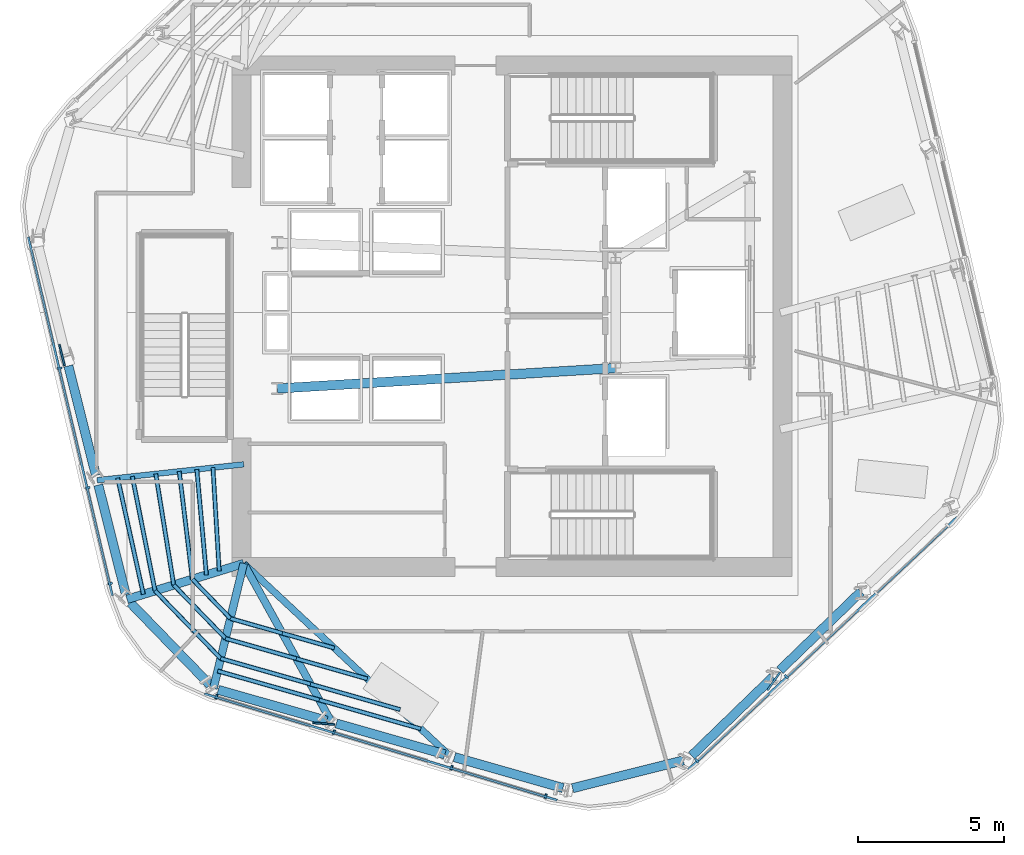
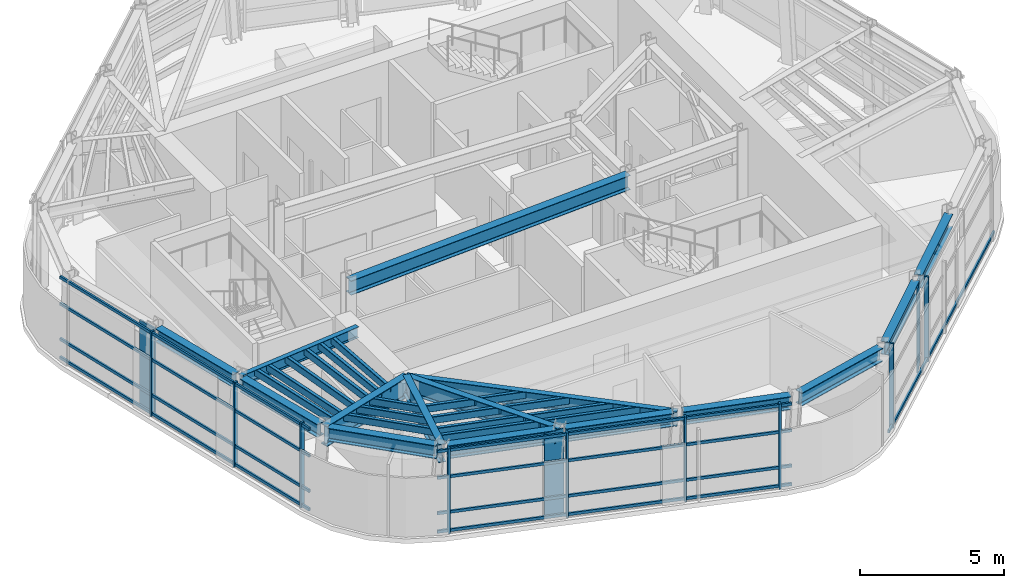
# One storey, part 2 of 14: 38 members, 15 beams, 3 elements without a shape of their own.
"""IFC4 building model written with IfcOpenShell, lengths in metres."""

from ifc_helpers import new_model, si_unit, direction, frame, origin, origin_2d, place, context, subcontext, project, spatial, rectangle, hollow_rectangle, i_section, extrude, material, layer, layer_set, material_profile, profile_set, type_object, element, aggregate, save


model = new_model("IFC4")

# Units and contexts
model_context = context("Model", 3, precision=1e-05, world=origin(), true_north=direction((0.0, 1.0)))
body_context = subcontext(model_context, "Body", "Model", "MODEL_VIEW")
ifc_project = project(units=[si_unit("LENGTHUNIT", "METRE"), si_unit("AREAUNIT", "SQUARE_METRE"), si_unit("VOLUMEUNIT", "CUBIC_METRE"), si_unit("PLANEANGLEUNIT", "RADIAN"), si_unit("MASSUNIT", "GRAM", prefix="KILO")], contexts=[model_context])

# Site, building, storey
site_placement = place(None, origin())
site = spatial("IfcSite", under=ifc_project, at=site_placement, CompositionType="ELEMENT")
building_placement = place(site_placement, origin())
building = spatial("IfcBuilding", under=site, at=building_placement, Name="Valkerne Bourse Tower", CompositionType="ELEMENT")
storey_placement = place(building_placement, frame((0.0, 0.0, 209.39990234375)))
storey = spatial("IfcBuildingStorey", under=building, at=storey_placement, Name="L53", CompositionType="ELEMENT", Elevation=209.39990234375)

# Beams
ifc_material_1 = material(Name="Steel ASTM A992", Category="steel")
ifc_material_profile_1 = material_profile(ifc_material_1, i_section(OverallWidth=0.1904296875, OverallDepth=0.457275390625, WebThickness=0.009033203125, FlangeThickness=0.014404296875, FilletRadius=0.01513671875, at=origin_2d()), Name="W18X50")
ifc_profile_set_1 = profile_set([ifc_material_profile_1], Name="Steel ASTM A992")
beam_type_1 = type_object("IfcBeamType", Name="BM-W18X50", PredefinedType="JOIST", material=ifc_profile_set_1)
beam_1_placement = place(storey_placement, frame((32.572265625, 21.2548828125, 3.37158203125), z_axis=(0.994172838961, 0.107797802729, 0.0), x_axis=(-0.107797802729, 0.994172838961, 0.0)))
element("IfcBeam", 1, at=beam_1_placement, inside=storey, type_object=beam_type_1, Name="L53 Radial Composite Floor Beam 10", PredefinedType="JOIST", context=body_context, shape_type="SweptSolid", body=[
    extrude(i_section(OverallWidth=0.1904296875, OverallDepth=0.457275390625, WebThickness=0.009033203125, FlangeThickness=0.014404296875, FilletRadius=0.01513671875, at=origin_2d()), origin(), (0.0, 0.0, 1.0), 5.057373046875),
])
ifc_material_profile_2 = material_profile(ifc_material_1, i_section(OverallWidth=0.31494140625, OverallDepth=0.5537109375, WebThickness=0.0166015625, FlangeThickness=0.026123046875, FilletRadius=0.020263671875, at=origin_2d()), Name="W21X132")
ifc_profile_set_2 = profile_set([ifc_material_profile_2], Name="Steel ASTM A992")
beam_type_2 = type_object("IfcBeamType", Name="BM-W21X132", PredefinedType="BEAM", material=ifc_profile_set_2)
beam_2_placement = place(storey_placement, frame((31.58740234375, 25.175048828125, 3.3232421875), z_axis=(0.243633318087, -0.969867416876, 0.0), x_axis=(0.969867416876, 0.243633318087, 0.0)))
element("IfcBeam", 2, at=beam_2_placement, inside=storey, type_object=beam_type_2, Name="L53 Hexagonal Spandrel Ring Beam 09", PredefinedType="BEAM", context=body_context, shape_type="SweptSolid", body=[
    extrude(i_section(OverallWidth=0.31494140625, OverallDepth=0.5537109375, WebThickness=0.0166015625, FlangeThickness=0.026123046875, FilletRadius=0.020263671875, at=origin_2d()), origin(), (0.0, 0.0, 1.0), 3.8720703125),
])
beam_3_placement = place(storey_placement, frame((32.613525390625, 21.08984375, 3.3232421875), z_axis=(0.243648217677, -0.969863673937, 0.0), x_axis=(0.969863673937, 0.243648217677, 0.0)))
element("IfcBeam", 3, at=beam_3_placement, inside=storey, type_object=beam_type_2, Name="L53 Hexagonal Spandrel Ring Beam 10", PredefinedType="BEAM", context=body_context, shape_type="SweptSolid", body=[
    extrude(i_section(OverallWidth=0.31494140625, OverallDepth=0.5537109375, WebThickness=0.0166015625, FlangeThickness=0.026123046875, FilletRadius=0.020263671875, at=origin_2d()), origin(), (0.0, 0.0, 1.0), 3.871826171875),
])
beam_4_placement = place(storey_placement, frame((33.716552734375, 17.047607421875, 3.3232421875), z_axis=(0.695921847216, -0.718117526988, 0.0), x_axis=(0.718117526988, 0.695921847216, 0.0)))
element("IfcBeam", 4, at=beam_4_placement, inside=storey, type_object=beam_type_2, Name="L53 Hexagonal Spandrel Ring Beam 11", PredefinedType="BEAM", context=body_context, shape_type="SweptSolid", body=[
    extrude(i_section(OverallWidth=0.31494140625, OverallDepth=0.5537109375, WebThickness=0.0166015625, FlangeThickness=0.026123046875, FilletRadius=0.020263671875, at=origin_2d()), origin(), (0.0, 0.0, 1.0), 3.915771484375),
])
for number, where, z_axis, x_axis, name in (
    (5, (36.723388671875, 14.06689453125, 3.3232421875), (0.961756780686, -0.273904901023, 0.0), (0.273904901023, 0.961756780686, 0.0), "L53 Hexagonal Spandrel Ring Beam 12"),
    (6, (40.774169921875, 12.9130859375, 3.3232421875), (0.961740168998, -0.273963222598, 0.0), (0.273963222598, 0.961740168998, 0.0), "L53 Hexagonal Spandrel Ring Beam 13"),
):
    element("IfcBeam", number, at=place(storey_placement, frame(where, z_axis=z_axis, x_axis=x_axis)), inside=storey, type_object=beam_type_2, Name=name, PredefinedType="BEAM", context=body_context, shape_type="SweptSolid", body=[
        extrude(i_section(OverallWidth=0.31494140625, OverallDepth=0.5537109375, WebThickness=0.0166015625, FlangeThickness=0.026123046875, FilletRadius=0.020263671875, at=origin_2d()), origin(), (0.0, 0.0, 1.0), 3.8720703125),
    ])
beam_5_placement = place(storey_placement, frame((44.8251953125, 11.75927734375, 3.3232421875), z_axis=(0.961735436106, -0.273979836735, 0.0), x_axis=(0.273979836735, 0.961735436106, 0.0)))
element("IfcBeam", 7, at=beam_5_placement, inside=storey, type_object=beam_type_2, Name="L53 Hexagonal Spandrel Ring Beam 14", PredefinedType="BEAM", context=body_context, shape_type="SweptSolid", body=[
    extrude(i_section(OverallWidth=0.31494140625, OverallDepth=0.5537109375, WebThickness=0.0166015625, FlangeThickness=0.026123046875, FilletRadius=0.020263671875, at=origin_2d()), origin(), (0.0, 0.0, 1.0), 3.871826171875),
])
beam_6_placement = place(storey_placement, frame((48.877197265625, 10.693359375, 3.3232421875), z_axis=(0.969877865114, 0.243591721458, 0.0), x_axis=(-0.243591721458, 0.969877865114, 0.0)))
element("IfcBeam", 8, at=beam_6_placement, inside=storey, type_object=beam_type_2, Name="L53 Hexagonal Spandrel Ring Beam 15", PredefinedType="BEAM", context=body_context, shape_type="SweptSolid", body=[
    extrude(i_section(OverallWidth=0.31494140625, OverallDepth=0.5537109375, WebThickness=0.0166015625, FlangeThickness=0.026123046875, FilletRadius=0.020263671875, at=origin_2d()), origin(), (0.0, 0.0, 1.0), 3.915771484375),
])
for number, where, z_axis, x_axis, name in (
    (9, (52.9619140625, 11.806884765625, 3.3232421875), (0.718117122085, 0.695922265033, 0.0), (-0.695922265033, 0.718117122085, 0.0), "L53 Hexagonal Spandrel Ring Beam 16"),
    (10, (55.98681640625, 14.738037109375, 3.3232421875), (0.718117122085, 0.695922265033, 0.0), (-0.695922265033, 0.718117122085, 0.0), "L53 Hexagonal Spandrel Ring Beam 17"),
):
    element("IfcBeam", number, at=place(storey_placement, frame(where, z_axis=z_axis, x_axis=x_axis)), inside=storey, type_object=beam_type_2, Name=name, PredefinedType="BEAM", context=body_context, shape_type="SweptSolid", body=[
        extrude(i_section(OverallWidth=0.31494140625, OverallDepth=0.5537109375, WebThickness=0.0166015625, FlangeThickness=0.026123046875, FilletRadius=0.020263671875, at=origin_2d()), origin(), (0.0, 0.0, 1.0), 3.8720703125),
    ])
ifc_material_profile_3 = material_profile(ifc_material_1, i_section(OverallWidth=0.3251953125, OverallDepth=0.612060546875, WebThickness=0.0126953125, FlangeThickness=0.01904296875, FilletRadius=0.020263671875, at=origin_2d()), Name="W24X104")
ifc_profile_set_3 = profile_set([ifc_material_profile_3], Name="Steel ASTM A992")
beam_type_3 = type_object("IfcBeamType", Name="BM-W24X104", PredefinedType="BEAM", material=ifc_profile_set_3)
beam_7_placement = place(storey_placement, frame((38.75, 24.39990234375, 3.294189453125), z_axis=(0.998183228389, 0.060251494276, 0.0), x_axis=(-0.060251494276, 0.998183228389, 0.0)))
element("IfcBeam", 11, at=beam_7_placement, inside=storey, type_object=beam_type_3, Name="L53 Core Frame Girder CG-SW", PredefinedType="BEAM", context=body_context, shape_type="SweptSolid", body=[
    extrude(i_section(OverallWidth=0.3251953125, OverallDepth=0.612060546875, WebThickness=0.0126953125, FlangeThickness=0.01904296875, FilletRadius=0.020263671875, at=origin_2d()), origin(), (0.0, 0.0, 1.0), 11.62109375),
])
ifc_material_profile_4 = material_profile(ifc_material_1, i_section(OverallWidth=0.228271484375, OverallDepth=0.607177734375, WebThickness=0.01123046875, FlangeThickness=0.017333984375, FilletRadius=0.017822265625, at=origin_2d()), Name="W24X76")
ifc_profile_set_4 = profile_set([ifc_material_profile_4], Name="Steel ASTM A992")
beam_type_4 = type_object("IfcBeamType", Name="BM-W24X76", PredefinedType="JOIST", material=ifc_profile_set_4)
beam_8_placement = place(storey_placement, frame((44.66162109375, 11.805908203125, 3.29638671875), z_axis=(-0.730888025021, 0.682497395512, 0.0), x_axis=(-0.682497395512, -0.730888025021, 0.0)))
element("IfcBeam", 12, at=beam_8_placement, inside=storey, type_object=beam_type_4, Name="L53 Radial Composite Floor Beam 14", PredefinedType="JOIST", context=body_context, shape_type="SweptSolid", body=[
    extrude(i_section(OverallWidth=0.228271484375, OverallDepth=0.607177734375, WebThickness=0.01123046875, FlangeThickness=0.017333984375, FilletRadius=0.017822265625, at=origin_2d()), origin(), (0.0, 0.0, 1.0), 9.66162109375),
])
ifc_material_profile_5 = material_profile(ifc_material_1, i_section(OverallWidth=0.255859375, OverallDepth=0.693359375, WebThickness=0.014404296875, FlangeThickness=0.023681640625, FilletRadius=0.02294921875, at=origin_2d()), Name="W27X114")
ifc_profile_set_5 = profile_set([ifc_material_profile_5], Name="Steel ASTM A992")
beam_type_5 = type_object("IfcBeamType", Name="BM-W27X114", PredefinedType="BEAM", material=ifc_profile_set_5)
beam_9_placement = place(storey_placement, frame((40.610595703125, 12.959716796875, 3.25341796875), z_axis=(-0.484188678006, 0.874963613009, 0.0), x_axis=(-0.874963613009, -0.484188678006, 0.0)))
element("IfcBeam", 13, at=beam_9_placement, inside=storey, type_object=beam_type_5, Name="L53 Radial Composite Floor Beam 13", PredefinedType="BEAM", context=body_context, shape_type="SweptSolid", body=[
    extrude(i_section(OverallWidth=0.255859375, OverallDepth=0.693359375, WebThickness=0.014404296875, FlangeThickness=0.023681640625, FilletRadius=0.02294921875, at=origin_2d()), origin(), (0.0, 0.0, 1.0), 6.217529296875),
])
ifc_material_profile_6 = material_profile(ifc_material_1, i_section(OverallWidth=0.26806640625, OverallDepth=0.76953125, WebThickness=0.015625, FlangeThickness=0.025390625, FilletRadius=0.025390625, at=origin_2d()), Name="W30X132")
ifc_profile_set_6 = profile_set([ifc_material_profile_6], Name="Steel ASTM A992")
beam_type_6 = type_object("IfcBeamType", Name="BM-W30X132", PredefinedType="BEAM", material=ifc_profile_set_6)
beam_10_placement = place(storey_placement, frame((36.559814453125, 14.113525390625, 3.21533203125), z_axis=(0.235848735383, 0.971789778717, 0.0), x_axis=(-0.971789778717, 0.235848735383, 0.0)))
element("IfcBeam", 14, at=beam_10_placement, inside=storey, type_object=beam_type_6, Name="L53 Radial Composite Floor Beam 12", PredefinedType="BEAM", context=body_context, shape_type="SweptSolid", body=[
    extrude(i_section(OverallWidth=0.26806640625, OverallDepth=0.76953125, WebThickness=0.015625, FlangeThickness=0.025390625, FilletRadius=0.025390625, at=origin_2d()), origin(), (0.0, 0.0, 1.0), 4.410888671875),
])
ifc_material_profile_7 = material_profile(ifc_material_1, i_section(OverallWidth=0.2919921875, OverallDepth=0.8583984375, WebThickness=0.01708984375, FlangeThickness=0.031005859375, FilletRadius=0.025390625, at=origin_2d()), Name="W33X169")
ifc_profile_set_7 = profile_set([ifc_material_profile_7], Name="Steel ASTM A992")
beam_type_7 = type_object("IfcBeamType", Name="BM-W33X169", PredefinedType="BEAM", material=ifc_profile_set_7)
beam_11_placement = place(storey_placement, frame((33.598388671875, 17.169677734375, 3.1708984375), z_axis=(0.955850850206, 0.293852262473, 0.0), x_axis=(-0.293852262473, 0.955850850206, 0.0)))
element("IfcBeam", 15, at=beam_11_placement, inside=storey, type_object=beam_type_7, Name="L53 Radial Composite Floor Beam 11", PredefinedType="BEAM", context=body_context, shape_type="SweptSolid", body=[
    extrude(i_section(OverallWidth=0.2919921875, OverallDepth=0.8583984375, WebThickness=0.01708984375, FlangeThickness=0.031005859375, FilletRadius=0.025390625, at=origin_2d()), origin(), (0.0, 0.0, 1.0), 4.1865234375),
])

# Curtain wall, members
ifc_material_2 = material(Name="Aluminium AA 6063-T6", Category="aluminium")
ifc_layer = layer(ifc_material_2, 0.239990234375)
ifc_layer_set = layer_set([ifc_layer], Name="Aluminium AA 6063-T6")
curtain_wall_type = type_object("IfcCurtainWallType", Name="CW-04", PredefinedType="NOTDEFINED", material=ifc_layer_set)
curtain_wall_1_placement = place(storey_placement, origin())
curtain_wall_1 = element("IfcCurtainWall", 16, at=curtain_wall_1_placement, inside=storey, type_object=curtain_wall_type, Name="L53 Hexagonal Stick Curtain Wall Face 3", PredefinedType="NOTDEFINED")
ifc_material_profile_8 = material_profile(ifc_material_2, rectangle(XDim=0.074951171875, YDim=0.159912109375, at=origin_2d()), Name="CWM-75X160")
ifc_profile_set_8 = profile_set([ifc_material_profile_8], Name="Aluminium AA 6063-T6")
member_type_1 = type_object("IfcMemberType", Name="CW-MUL-160X75", PredefinedType="MULLION", material=ifc_profile_set_8)
member_1_placement = place(storey_placement, frame((31.286865234375, 25.09326171875, 0.0), z_axis=(0.0, 0.0, 1.0), x_axis=(0.228348506824, -0.973579457174, 0.0)))
member_1 = element("IfcMember", 17, at=member_1_placement, type_object=member_type_1, Name="CW-L53-F3 Jamb Mullion 01A", PredefinedType="MULLION", context=body_context, shape_type="SweptSolid", body=[
    extrude(rectangle(XDim=0.074951171875, YDim=0.159912109375, at=origin_2d()), origin(), (0.0, 0.0, 1.0), 3.60009765625),
])
member_2_placement = place(storey_placement, frame((32.24853515625, 20.992431640625, 0.0), z_axis=(0.0, 0.0, 1.0), x_axis=(0.228348506824, -0.973579457174, 0.0)))
member_2 = element("IfcMember", 18, at=member_2_placement, type_object=member_type_1, Name="CW-L53-F3 Jamb Mullion 02A", PredefinedType="MULLION", context=body_context, shape_type="SweptSolid", body=[
    extrude(rectangle(XDim=0.074951171875, YDim=0.159912109375, at=origin_2d()), origin(), (0.0, 0.0, 1.0), 3.60009765625),
])
member_3_placement = place(storey_placement, frame((33.0185546875, 17.709716796875, 0.0), z_axis=(0.0, 0.0, 1.0), x_axis=(0.228348506824, -0.973579457174, 0.0)))
member_3 = element("IfcMember", 19, at=member_3_placement, type_object=member_type_1, Name="CW-L53-F3 Jamb Mullion 02B", PredefinedType="MULLION", context=body_context, shape_type="SweptSolid", body=[
    extrude(rectangle(XDim=0.074951171875, YDim=0.159912109375, at=origin_2d()), origin(), (0.0, 0.0, 1.0), 3.60009765625),
])

curtain_wall_2_placement = place(storey_placement, origin())
curtain_wall_2 = element("IfcCurtainWall", 20, at=curtain_wall_2_placement, inside=storey, type_object=curtain_wall_type, Name="L53 Hexagonal Stick Curtain Wall Face 4", PredefinedType="NOTDEFINED")
member_4_placement = place(storey_placement, frame((36.66259765625, 13.8291015625, 0.0), z_axis=(0.0, 0.0, 1.0), x_axis=(0.957321018034, -0.289026760752, 0.0)))
member_4 = element("IfcMember", 21, at=member_4_placement, type_object=member_type_1, Name="CW-L53-F4 Jamb Mullion 00A", PredefinedType="MULLION", context=body_context, shape_type="SweptSolid", body=[
    extrude(rectangle(XDim=0.074951171875, YDim=0.159912109375, at=origin_2d()), origin(), (0.0, 0.0, 1.0), 3.60009765625),
])
member_5_placement = place(storey_placement, frame((40.69482421875, 12.61181640625, 0.0), z_axis=(0.0, 0.0, 1.0), x_axis=(0.957319034703, -0.289033329904, 0.0)))
member_5 = element("IfcMember", 22, at=member_5_placement, type_object=member_type_1, Name="CW-L53-F4 Jamb Mullion 01A", PredefinedType="MULLION", context=body_context, shape_type="SweptSolid", body=[
    extrude(rectangle(XDim=0.074951171875, YDim=0.159912109375, at=origin_2d()), origin(), (0.0, 0.0, 1.0), 3.60009765625),
])
member_6_placement = place(storey_placement, frame((44.72705078125, 11.394287109375, 0.0), z_axis=(0.0, 0.0, 1.0), x_axis=(0.957319034703, -0.289033329904, 0.0)))
member_6 = element("IfcMember", 23, at=member_6_placement, type_object=member_type_1, Name="CW-L53-F4 Jamb Mullion 02A", PredefinedType="MULLION", context=body_context, shape_type="SweptSolid", body=[
    extrude(rectangle(XDim=0.074951171875, YDim=0.159912109375, at=origin_2d()), origin(), (0.0, 0.0, 1.0), 3.60009765625),
])
member_7_placement = place(storey_placement, frame((47.955078125, 10.419677734375, 0.0), z_axis=(0.0, 0.0, 1.0), x_axis=(0.957319034703, -0.289033329904, 0.0)))
member_7 = element("IfcMember", 24, at=member_7_placement, type_object=member_type_1, Name="CW-L53-F4 Jamb Mullion 02B", PredefinedType="MULLION", context=body_context, shape_type="SweptSolid", body=[
    extrude(rectangle(XDim=0.074951171875, YDim=0.159912109375, at=origin_2d()), origin(), (0.0, 0.0, 1.0), 3.60009765625),
])

curtain_wall_3_placement = place(storey_placement, origin())
curtain_wall_3 = element("IfcCurtainWall", 25, at=curtain_wall_3_placement, inside=storey, type_object=curtain_wall_type, Name="L53 Hexagonal Stick Curtain Wall Face 5", PredefinedType="NOTDEFINED")
member_8_placement = place(storey_placement, frame((53.137451171875, 11.63525390625, 0.0), z_axis=(0.0, 0.0, 1.0), x_axis=(0.728968333355, 0.684547419077, 0.0)))
member_8 = element("IfcMember", 26, at=member_8_placement, type_object=member_type_1, Name="CW-L53-F5 Jamb Mullion 00A", PredefinedType="MULLION", context=body_context, shape_type="SweptSolid", body=[
    extrude(rectangle(XDim=0.074951171875, YDim=0.159912109375, at=origin_2d()), origin(), (0.0, 0.0, 1.0), 3.60009765625),
])
member_9_placement = place(storey_placement, frame((56.2080078125, 14.5185546875, 0.0), z_axis=(0.0, 0.0, 1.0), x_axis=(0.728979458595, 0.684535571717, 0.0)))
member_9 = element("IfcMember", 27, at=member_9_placement, type_object=member_type_1, Name="CW-L53-F5 Jamb Mullion 01A", PredefinedType="MULLION", context=body_context, shape_type="SweptSolid", body=[
    extrude(rectangle(XDim=0.074951171875, YDim=0.159912109375, at=origin_2d()), origin(), (0.0, 0.0, 1.0), 3.60009765625),
])

# Member
ifc_material_profile_9 = material_profile(ifc_material_2, rectangle(XDim=0.074951171875, YDim=0.1201171875, at=origin_2d()), Name="CWT-75X120")
ifc_profile_set_9 = profile_set([ifc_material_profile_9], Name="Aluminium AA 6063-T6")
member_type_2 = type_object("IfcMemberType", Name="CW-TRN-120X75", PredefinedType="USERDEFINED", material=ifc_profile_set_9)
member_10_placement = place(storey_placement, frame((30.209716796875, 29.59814453125, 0.1201171875), z_axis=(0.228339272849, -0.973581622913, 0.0), x_axis=(0.973581622913, 0.228339272849, 0.0)))
member_10 = element("IfcMember", 28, at=member_10_placement, type_object=member_type_2, Name="CW-L53-F3 Continuous Face Transom 1", ObjectType="TRANSOM", PredefinedType="USERDEFINED", context=body_context, shape_type="SweptSolid", body=[
    extrude(rectangle(XDim=0.074951171875, YDim=0.1201171875, at=origin_2d()), origin(), (0.0, 0.0, 1.0), 12.6357421875),
])

member_11_placement = place(storey_placement, frame((30.209716796875, 29.59814453125, 0.900146484375), z_axis=(0.228339272849, -0.973581622913, 0.0), x_axis=(0.973581622913, 0.228339272849, 0.0)))
member_11 = element("IfcMember", 29, at=member_11_placement, type_object=member_type_2, Name="CW-L53-F3 Continuous Face Transom 2", ObjectType="TRANSOM", PredefinedType="USERDEFINED", context=body_context, shape_type="SweptSolid", body=[
    extrude(rectangle(XDim=0.074951171875, YDim=0.1201171875, at=origin_2d()), origin(), (0.0, 0.0, 1.0), 12.6357421875),
])

member_12_placement = place(storey_placement, frame((30.209716796875, 29.59814453125, 2.400146484375), z_axis=(0.228339272849, -0.973581622913, 0.0), x_axis=(0.973581622913, 0.228339272849, 0.0)))
member_12 = element("IfcMember", 30, at=member_12_placement, type_object=member_type_2, Name="CW-L53-F3 Continuous Face Transom 3", ObjectType="TRANSOM", PredefinedType="USERDEFINED", context=body_context, shape_type="SweptSolid", body=[
    extrude(rectangle(XDim=0.074951171875, YDim=0.1201171875, at=origin_2d()), origin(), (0.0, 0.0, 1.0), 12.6357421875),
])

member_13_placement = place(storey_placement, frame((30.209716796875, 29.59814453125, 3.52001953125), z_axis=(0.228339272849, -0.973581622913, 0.0), x_axis=(0.973581622913, 0.228339272849, 0.0)))
member_13 = element("IfcMember", 31, at=member_13_placement, type_object=member_type_2, Name="CW-L53-F3 Continuous Face Transom 4", ObjectType="TRANSOM", PredefinedType="USERDEFINED", context=body_context, shape_type="SweptSolid", body=[
    extrude(rectangle(XDim=0.074951171875, YDim=0.1201171875, at=origin_2d()), origin(), (0.0, 0.0, 1.0), 12.6357421875),
])

aggregate(curtain_wall_1, [member_10, member_11, member_12, member_13, member_1, member_2, member_3])

member_14_placement = place(storey_placement, frame((36.254638671875, 13.931396484375, 0.1201171875), z_axis=(0.957321759812, -0.289024303807, 0.0), x_axis=(0.289024303807, 0.957321759812, 0.0)))
member_14 = element("IfcMember", 32, at=member_14_placement, type_object=member_type_2, Name="CW-L53-F4 Continuous Face Transom 1", ObjectType="TRANSOM", PredefinedType="USERDEFINED", context=body_context, shape_type="SweptSolid", body=[
    extrude(rectangle(XDim=0.074951171875, YDim=0.1201171875, at=origin_2d()), origin(), (0.0, 0.0, 1.0), 12.635986328125),
])

member_15_placement = place(storey_placement, frame((36.254638671875, 13.931396484375, 0.900146484375), z_axis=(0.957321759812, -0.289024303807, 0.0), x_axis=(0.289024303807, 0.957321759812, 0.0)))
member_15 = element("IfcMember", 33, at=member_15_placement, type_object=member_type_2, Name="CW-L53-F4 Continuous Face Transom 2", ObjectType="TRANSOM", PredefinedType="USERDEFINED", context=body_context, shape_type="SweptSolid", body=[
    extrude(rectangle(XDim=0.074951171875, YDim=0.1201171875, at=origin_2d()), origin(), (0.0, 0.0, 1.0), 12.635986328125),
])

member_16_placement = place(storey_placement, frame((36.254638671875, 13.931396484375, 2.400146484375), z_axis=(0.957321759812, -0.289024303807, 0.0), x_axis=(0.289024303807, 0.957321759812, 0.0)))
member_16 = element("IfcMember", 34, at=member_16_placement, type_object=member_type_2, Name="CW-L53-F4 Continuous Face Transom 3", ObjectType="TRANSOM", PredefinedType="USERDEFINED", context=body_context, shape_type="SweptSolid", body=[
    extrude(rectangle(XDim=0.074951171875, YDim=0.1201171875, at=origin_2d()), origin(), (0.0, 0.0, 1.0), 12.635986328125),
])

member_17_placement = place(storey_placement, frame((36.254638671875, 13.931396484375, 3.52001953125), z_axis=(0.957321759812, -0.289024303807, 0.0), x_axis=(0.289024303807, 0.957321759812, 0.0)))
member_17 = element("IfcMember", 35, at=member_17_placement, type_object=member_type_2, Name="CW-L53-F4 Continuous Face Transom 4", ObjectType="TRANSOM", PredefinedType="USERDEFINED", context=body_context, shape_type="SweptSolid", body=[
    extrude(rectangle(XDim=0.074951171875, YDim=0.1201171875, at=origin_2d()), origin(), (0.0, 0.0, 1.0), 12.635986328125),
])

aggregate(curtain_wall_2, [member_14, member_15, member_16, member_17, member_4, member_5, member_6, member_7])

member_18_placement = place(storey_placement, frame((52.844970703125, 11.333251953125, 0.1201171875), z_axis=(0.728976613752, 0.684538601251, 0.0), x_axis=(-0.684538601251, 0.728976613752, 0.0)))
member_18 = element("IfcMember", 36, at=member_18_placement, type_object=member_type_2, Name="CW-L53-F5 Continuous Face Transom 1", ObjectType="TRANSOM", PredefinedType="USERDEFINED", context=body_context, shape_type="SweptSolid", body=[
    extrude(rectangle(XDim=0.074951171875, YDim=0.1201171875, at=origin_2d()), origin(), (0.0, 0.0, 1.0), 12.635986328125),
])

aggregate(curtain_wall_3, [member_18, member_8, member_9])

# Members
ifc_material_3 = material(Name="Bronze Anodised Aluminium AA 6063-T6", Category="aluminium")
ifc_material_profile_10 = material_profile(ifc_material_3, rectangle(XDim=0.06494140625, YDim=0.75, at=origin_2d()), Name="FIN-65X750")
ifc_profile_set_10 = profile_set([ifc_material_profile_10], Name="Bronze Anodised Aluminium AA 6063-T6")
member_type_3 = type_object("IfcMemberType", Name="FIN-SOLAR-650", PredefinedType="USERDEFINED", material=ifc_profile_set_10)
for number, where, z_axis, x_axis, name in (
    (37, (31.3662109375, 25.543212890625, 0.004150390625), (0.0, 0.0, 1.0), (-0.970886810154, -0.239538727285, 0.0), "L53 Bronze Anodised Solar Fin F3-01"),
    (38, (40.3447265625, 12.905517578125, 0.004150390625), (0.0, 0.0, 1.0), (-0.076013551299, -0.997106784662, 0.0), "L53 Bronze Anodised Solar Fin F4-01"),
    (39, (55.778564453125, 14.3623046875, 0.004150390625), (0.0, 0.0, 1.0), (0.818955424702, -0.573857135837, 0.0), "L53 Bronze Anodised Solar Fin F5-01"),
):
    element("IfcMember", number, at=place(storey_placement, frame(where, z_axis=z_axis, x_axis=x_axis)), inside=storey, type_object=member_type_3, Name=name, ObjectType="SOLAR_FIN", PredefinedType="USERDEFINED", context=body_context, shape_type="SweptSolid", body=[
        extrude(rectangle(XDim=0.06494140625, YDim=0.75, at=origin_2d()), origin(), (0.0, 0.0, 1.0), 3.592041015625),
    ])
ifc_material_4 = material(Name="Steel ASTM A500 Grade C", Category="steel")
ifc_material_profile_11 = material_profile(ifc_material_4, hollow_rectangle(XDim=0.14990234375, YDim=0.300048828125, WallThickness=0.012451171875, OuterFilletRadius=0.02490234375, at=origin_2d()), Name="HSS300X150X12.5")
ifc_profile_set_11 = profile_set([ifc_material_profile_11], Name="Steel ASTM A500 Grade C")
member_type_4 = type_object("IfcMemberType", Name="MBR-HSS300X150X12.5", PredefinedType="PURLIN", material=ifc_profile_set_11)
member_19_placement = place(storey_placement, frame((35.9912109375, 21.62548828125, 3.440185546875), z_axis=(0.090360079661, -0.995909160518, 0.0), x_axis=(0.995909160518, 0.090360079661, 0.0)))
element("IfcMember", 40, at=member_19_placement, inside=storey, type_object=member_type_4, Name="L53 Secondary Composite Floor Purlin I-10", PredefinedType="PURLIN", context=body_context, shape_type="SweptSolid", body=[
    extrude(hollow_rectangle(XDim=0.14990234375, YDim=0.300048828125, WallThickness=0.012451171875, OuterFilletRadius=0.02490234375, at=origin_2d()), origin(), (0.0, 0.0, 1.0), 3.634033203125),
])
member_20_placement = place(storey_placement, frame((35.3876953125, 21.56005859375, 3.440185546875), z_axis=(0.121125182633, -0.992637239948, 0.0), x_axis=(0.992637239948, 0.121125182633, 0.0)))
element("IfcMember", 41, at=member_20_placement, inside=storey, type_object=member_type_4, Name="L53 Secondary Composite Floor Purlin K-10", PredefinedType="PURLIN", context=body_context, shape_type="SweptSolid", body=[
    extrude(hollow_rectangle(XDim=0.14990234375, YDim=0.300048828125, WallThickness=0.012451171875, OuterFilletRadius=0.02490234375, at=origin_2d()), origin(), (0.0, 0.0, 1.0), 3.728759765625),
])
member_21_placement = place(storey_placement, frame((35.83935546875, 17.858642578125, 3.440185546875), z_axis=(0.695870881912, -0.718166913542, 0.0), x_axis=(0.718166913542, 0.695870881912, 0.0)))
element("IfcMember", 42, at=member_21_placement, inside=storey, type_object=member_type_4, Name="L53 Secondary Composite Floor Purlin K-11", PredefinedType="PURLIN", context=body_context, shape_type="SweptSolid", body=[
    extrude(hollow_rectangle(XDim=0.14990234375, YDim=0.300048828125, WallThickness=0.012451171875, OuterFilletRadius=0.02490234375, at=origin_2d()), origin(), (0.0, 0.0, 1.0), 1.87255859375),
])
for number, where, z_axis, x_axis, name in (
    (43, (37.142333984375, 16.513916015625, 3.440185546875), (0.961767147554, -0.273868497434, 0.0), (0.273868497434, 0.961767147554, 0.0), "L53 Secondary Composite Floor Purlin K-12"),
    (44, (38.9248046875, 16.00634765625, 3.440185546875), (0.961722552821, -0.274025056146, 0.0), (0.274025056146, 0.961722552821, 0.0), "L53 Secondary Composite Floor Purlin K-13"),
):
    element("IfcMember", number, at=place(storey_placement, frame(where, z_axis=z_axis, x_axis=x_axis)), inside=storey, type_object=member_type_4, Name=name, PredefinedType="PURLIN", context=body_context, shape_type="SweptSolid", body=[
        extrude(hollow_rectangle(XDim=0.14990234375, YDim=0.300048828125, WallThickness=0.012451171875, OuterFilletRadius=0.02490234375, at=origin_2d()), origin(), (0.0, 0.0, 1.0), 1.853271484375),
    ])
member_22_placement = place(storey_placement, frame((33.77880859375, 21.385498046875, 3.440185546875), z_axis=(0.195082402358, -0.980786855688, 0.0), x_axis=(0.980786855688, 0.195082402358, 0.0)))
element("IfcMember", 45, at=member_22_placement, inside=storey, type_object=member_type_4, Name="L53 Secondary Composite Floor Purlin O-10", PredefinedType="PURLIN", context=body_context, shape_type="SweptSolid", body=[
    extrude(hollow_rectangle(XDim=0.14990234375, YDim=0.300048828125, WallThickness=0.012451171875, OuterFilletRadius=0.02490234375, at=origin_2d()), origin(), (0.0, 0.0, 1.0), 3.997314453125),
])
member_23_placement = place(storey_placement, frame((34.55859375, 17.465087890625, 3.440185546875), z_axis=(0.695924185786, -0.718115260691, 0.0), x_axis=(0.718115260691, 0.695924185786, 0.0)))
element("IfcMember", 46, at=member_23_placement, inside=storey, type_object=member_type_4, Name="L53 Secondary Composite Floor Purlin O-11", PredefinedType="PURLIN", context=body_context, shape_type="SweptSolid", body=[
    extrude(hollow_rectangle(XDim=0.14990234375, YDim=0.300048828125, WallThickness=0.012451171875, OuterFilletRadius=0.02490234375, at=origin_2d()), origin(), (0.0, 0.0, 1.0), 3.234619140625),
])
for number, where, z_axis, x_axis, name in (
    (47, (36.8095703125, 15.142333984375, 3.440185546875), (0.961742374399, -0.273955480479, 0.0), (0.273955480479, 0.961742374399, 0.0), "L53 Secondary Composite Floor Purlin O-12"),
    (48, (39.88818359375, 14.265380859375, 3.440185546875), (0.961742374399, -0.273955480479, 0.0), (0.273955480479, 0.961742374399, 0.0), "L53 Secondary Composite Floor Purlin O-13"),
):
    element("IfcMember", number, at=place(storey_placement, frame(where, z_axis=z_axis, x_axis=x_axis)), inside=storey, type_object=member_type_4, Name=name, PredefinedType="PURLIN", context=body_context, shape_type="SweptSolid", body=[
        extrude(hollow_rectangle(XDim=0.14990234375, YDim=0.300048828125, WallThickness=0.012451171875, OuterFilletRadius=0.02490234375, at=origin_2d()), origin(), (0.0, 0.0, 1.0), 3.201171875),
    ])
member_24_placement = place(storey_placement, frame((34.583251953125, 21.472900390625, 3.440185546875), z_axis=(0.159494891554, -0.987198753832, 0.0), x_axis=(0.987198753832, 0.159494891554, 0.0)))
element("IfcMember", 49, at=member_24_placement, inside=storey, type_object=member_type_4, Name="L53 Secondary Composite Floor Purlin Z-10", PredefinedType="PURLIN", context=body_context, shape_type="SweptSolid", body=[
    extrude(hollow_rectangle(XDim=0.14990234375, YDim=0.300048828125, WallThickness=0.012451171875, OuterFilletRadius=0.02490234375, at=origin_2d()), origin(), (0.0, 0.0, 1.0), 3.8603515625),
])
member_25_placement = place(storey_placement, frame((35.198974609375, 17.661865234375, 3.440185546875), z_axis=(0.695879987279, -0.718158090746, 0.0), x_axis=(0.718158090746, 0.695879987279, 0.0)))
element("IfcMember", 50, at=member_25_placement, inside=storey, type_object=member_type_4, Name="L53 Secondary Composite Floor Purlin Z-11", PredefinedType="PURLIN", context=body_context, shape_type="SweptSolid", body=[
    extrude(hollow_rectangle(XDim=0.14990234375, YDim=0.300048828125, WallThickness=0.012451171875, OuterFilletRadius=0.02490234375, at=origin_2d()), origin(), (0.0, 0.0, 1.0), 2.553466796875),
])
member_26_placement = place(storey_placement, frame((36.975830078125, 15.828125, 3.440185546875), z_axis=(0.961742358253, -0.273955537164, 0.0), x_axis=(0.273955537164, 0.961742358253, 0.0)))
element("IfcMember", 51, at=member_26_placement, inside=storey, type_object=member_type_4, Name="L53 Secondary Composite Floor Purlin Z-12", PredefinedType="PURLIN", context=body_context, shape_type="SweptSolid", body=[
    extrude(hollow_rectangle(XDim=0.14990234375, YDim=0.300048828125, WallThickness=0.012451171875, OuterFilletRadius=0.02490234375, at=origin_2d()), origin(), (0.0, 0.0, 1.0), 2.52734375),
])
member_27_placement = place(storey_placement, frame((39.406494140625, 15.1357421875, 3.440185546875), z_axis=(0.961760559828, -0.273891631051, 0.0), x_axis=(0.273891631051, 0.961760559828, 0.0)))
element("IfcMember", 52, at=member_27_placement, inside=storey, type_object=member_type_4, Name="L53 Secondary Composite Floor Purlin Z-13", PredefinedType="PURLIN", context=body_context, shape_type="SweptSolid", body=[
    extrude(hollow_rectangle(XDim=0.14990234375, YDim=0.300048828125, WallThickness=0.012451171875, OuterFilletRadius=0.02490234375, at=origin_2d()), origin(), (0.0, 0.0, 1.0), 2.527099609375),
])
member_28_placement = place(storey_placement, frame((36.544189453125, 21.685546875, 3.440185546875), z_axis=(0.060648690503, -0.99815917385, 0.0), x_axis=(0.99815917385, 0.060648690503, 0.0)))
element("IfcMember", 53, at=member_28_placement, inside=storey, type_object=member_type_4, Name="L53 Secondary Composite Floor Purlin S-10", PredefinedType="PURLIN", context=body_context, shape_type="SweptSolid", body=[
    extrude(hollow_rectangle(XDim=0.14990234375, YDim=0.300048828125, WallThickness=0.012451171875, OuterFilletRadius=0.02490234375, at=origin_2d()), origin(), (0.0, 0.0, 1.0), 3.550537109375),
])
member_29_placement = place(storey_placement, frame((33.276123046875, 21.3310546875, 3.440185546875), z_axis=(0.215955985372, -0.97640309933, 0.0), x_axis=(0.97640309933, 0.215955985372, 0.0)))
element("IfcMember", 54, at=member_29_placement, inside=storey, type_object=member_type_4, Name="L53 Secondary Composite Floor Purlin T-10", PredefinedType="PURLIN", context=body_context, shape_type="SweptSolid", body=[
    extrude(hollow_rectangle(XDim=0.14990234375, YDim=0.300048828125, WallThickness=0.012451171875, OuterFilletRadius=0.02490234375, at=origin_2d()), origin(), (0.0, 0.0, 1.0), 4.085693359375),
])
for number, where, z_axis, x_axis, name in (
    (55, (36.70556640625, 14.713623046875, 3.440185546875), (0.961734766563, -0.273982186984, 0.0), (0.273982186984, 0.961734766563, 0.0), "L53 Secondary Composite Floor Purlin T-12"),
    (56, (40.189208984375, 13.72119140625, 3.440185546875), (0.961757581511, -0.273902089086, 0.0), (0.273902089086, 0.961757581511, 0.0), "L53 Secondary Composite Floor Purlin T-13"),
):
    element("IfcMember", number, at=place(storey_placement, frame(where, z_axis=z_axis, x_axis=x_axis)), inside=storey, type_object=member_type_4, Name=name, PredefinedType="PURLIN", context=body_context, shape_type="SweptSolid", body=[
        extrude(hollow_rectangle(XDim=0.14990234375, YDim=0.300048828125, WallThickness=0.012451171875, OuterFilletRadius=0.02490234375, at=origin_2d()), origin(), (0.0, 0.0, 1.0), 3.622314453125),
    ])

save(model, "model.ifc")
